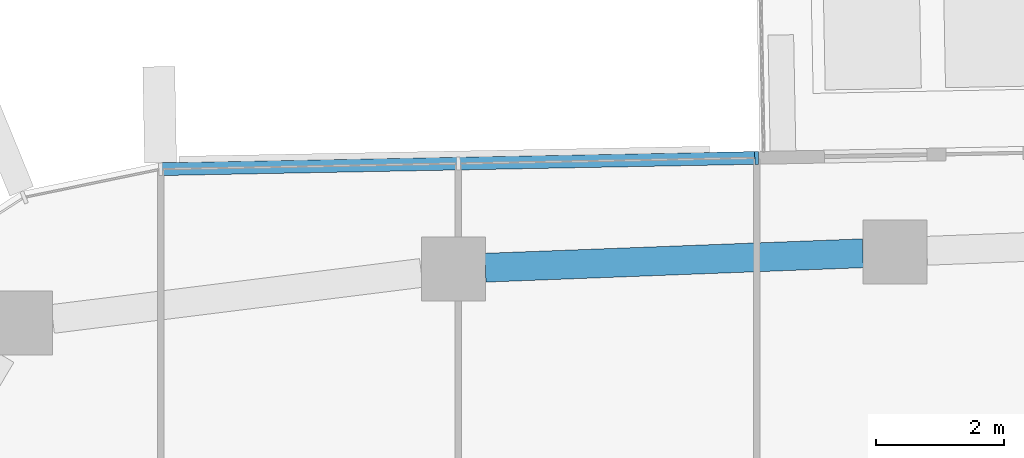
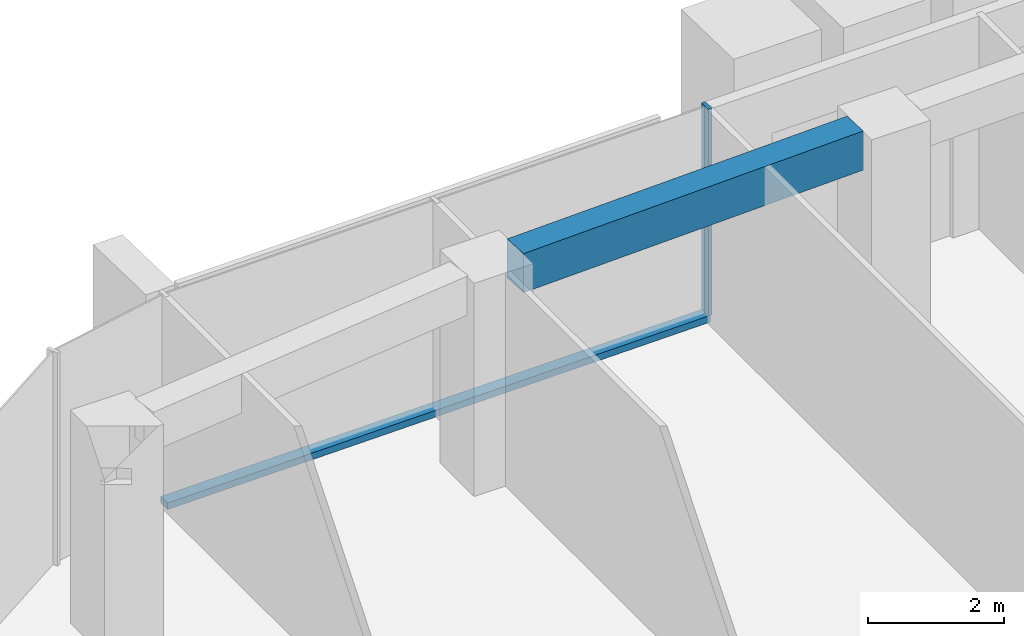
# One storey, part 7 of 24: 2 members, 1 beam, 1 element without a shape of its own.
"""IFC4 building model written with IfcOpenShell, lengths in metres."""

import ifcopenshell
import ifcopenshell.guid

model = None  # the IFC model being written
_history = None  # IfcOwnerHistory: only IFC2X3 demands one
_inside = {}  # id of a spatial element -> (the spatial element, [elements in it])
_under = {}  # id of a project, library or spatial element -> (it, [spatial elements below it])
_declared = {}  # id of a project -> (the project, [libraries it declares])
_typed = {}  # id of a type object -> (the type object, [elements of that type])
_made_of = {}  # id of a material, layer set ... -> (it, [elements and type objects made of it])


def new_model(schema):
    """Start an empty IFC model of exactly this schema.

    Asked for "IFC4X3", IfcOpenShell would pick the latest addendum, in which some entities
    have other attributes; the version numbers below select the first issue.
    IFC2X3 requires an IfcOwnerHistory on every rooted entity: one is made here for all.
    """
    global model, _history
    if schema == "IFC4X3":
        model = ifcopenshell.file(schema_version=(4, 3, 0, 0))
    else:
        model = ifcopenshell.file(schema=schema)
    _inside.clear()
    _under.clear()
    _declared.clear()
    _typed.clear()
    _made_of.clear()
    _history = None
    if model.schema == "IFC2X3":
        org = make("IfcOrganization", Name="unknown")
        user = make(
            "IfcPersonAndOrganization",
            ThePerson=make("IfcPerson", FamilyName="unknown"),
            TheOrganization=org,
        )
        app = make(
            "IfcApplication",
            ApplicationDeveloper=org,
            Version="unknown",
            ApplicationFullName="unknown",
            ApplicationIdentifier="unknown",
        )
        _history = make(
            "IfcOwnerHistory",
            OwningUser=user,
            OwningApplication=app,
            ChangeAction="ADDED",
            CreationDate=0,
        )
    return model


def make(cls, **values):
    """One entity of the class cls with the attributes given. An attribute that is None is left unset."""
    return model.create_entity(
        cls, **{name: value for name, value in values.items() if value is not None}
    )


def rooted(cls, **values):
    """An entity with a GlobalId (a new one), such as an element, a storey or a relation."""
    return make(cls, GlobalId=ifcopenshell.guid.new(), OwnerHistory=_history, **values)


def si_unit(unit_type, name, prefix=None):
    """IfcSIUnit, for example si_unit("LENGTHUNIT", "METRE", prefix="MILLI")."""
    return make("IfcSIUnit", UnitType=unit_type, Prefix=prefix, Name=name)


def assignment(units):
    """IfcUnitAssignment: the units of a project."""
    return None if units is None else make("IfcUnitAssignment", Units=units)


def point(xyz):
    """IfcCartesianPoint."""
    return None if xyz is None else make("IfcCartesianPoint", Coordinates=xyz)


def direction(xyz):
    """IfcDirection."""
    return None if xyz is None else make("IfcDirection", DirectionRatios=xyz)


def frame(location, z_axis=None, x_axis=None):
    """IfcAxis2Placement3D, a coordinate frame: its origin and axes. An axis left out is left unset."""
    return make(
        "IfcAxis2Placement3D",
        Location=point(location),
        Axis=direction(z_axis),
        RefDirection=direction(x_axis),
    )


def frame_2d(location, x_axis=None):
    """IfcAxis2Placement2D, a coordinate frame in the plane: its origin and x axis."""
    return make(
        "IfcAxis2Placement2D", Location=point(location), RefDirection=direction(x_axis)
    )


def origin():
    """The frame at (0, 0, 0) with its axes left unset."""
    return frame((0.0, 0.0, 0.0))


def origin_2d():
    """The frame at (0, 0) in the plane with its x axis left unset."""
    return frame_2d((0.0, 0.0))


def place(relative_to, where):
    """IfcLocalPlacement: puts the frame where relative to a parent placement (None: the world)."""
    return make(
        "IfcLocalPlacement", PlacementRelTo=relative_to, RelativePlacement=where
    )


def context(
    kind, dimensions, precision=None, world=None, true_north=None, identifier=None
):
    """IfcGeometricRepresentationContext, for example the 3D "Model" context."""
    return make(
        "IfcGeometricRepresentationContext",
        ContextIdentifier=identifier,
        ContextType=kind,
        CoordinateSpaceDimension=dimensions,
        Precision=precision,
        WorldCoordinateSystem=world,
        TrueNorth=true_north,
    )


def subcontext(parent, identifier, kind, view, scale=None):
    """IfcGeometricRepresentationSubContext, for example "Body" below "Model"."""
    return make(
        "IfcGeometricRepresentationSubContext",
        ContextIdentifier=identifier,
        ContextType=kind,
        ParentContext=parent,
        TargetScale=scale,
        TargetView=view,
    )


def project(units=None, contexts=None):
    """IfcProject with its units and contexts."""
    return rooted(
        "IfcProject",
        Name="project",
        RepresentationContexts=contexts,
        UnitsInContext=assignment(units),
    )


def spatial(cls, under=None, at=None, **own):
    """A site, building, storey or space (cls), placed at a placement, below another one or the project."""
    s = rooted(cls, ObjectPlacement=at, **own)
    if under is not None:
        _under.setdefault(under.id(), (under, []))[1].append(s)
    return s


def profile(cls, at=None, kind="AREA", **sizes):
    """A parametric profile (cls). Its sizes go by their IFC names, for example OverallWidth=200.0."""
    return make(cls, ProfileType=kind, Position=at, **sizes)


def rectangle(**sizes):
    """IfcRectangleProfileDef."""
    return profile("IfcRectangleProfileDef", **sizes)


def extrude(swept, where, along, depth):
    """IfcExtrudedAreaSolid: the profile swept, set in the frame where, extruded along a direction by depth."""
    return make(
        "IfcExtrudedAreaSolid",
        SweptArea=swept,
        Position=where,
        ExtrudedDirection=direction(along),
        Depth=depth,
    )


def shape(context_of_items, identifier, shape_type, items):
    """IfcShapeRepresentation: the items that make up one representation, for example the "Body"."""
    return make(
        "IfcShapeRepresentation",
        ContextOfItems=context_of_items,
        RepresentationIdentifier=identifier,
        RepresentationType=shape_type,
        Items=items,
    )


def material(Name=None, Category=None):
    """IfcMaterial."""
    return make("IfcMaterial", Name=Name, Category=Category)


def layer(
    of_material, thickness, ventilated=None, Name=None, Category=None, Priority=None
):
    """IfcMaterialLayer: one layer of a wall or slab, of a material (None: an air gap)."""
    return make(
        "IfcMaterialLayer",
        Material=of_material,
        LayerThickness=thickness,
        IsVentilated=ventilated,
        Name=Name,
        Category=Category,
        Priority=Priority,
    )


def layer_set(layers, Name=None):
    """IfcMaterialLayerSet."""
    return make("IfcMaterialLayerSet", MaterialLayers=layers, LayerSetName=Name)


def material_profile(
    of_material, cross_section, Name=None, Category=None, Priority=None
):
    """IfcMaterialProfile: a cross section and its material."""
    return make(
        "IfcMaterialProfile",
        Name=Name,
        Material=of_material,
        Profile=cross_section,
        Priority=Priority,
        Category=Category,
    )


def profile_set(profiles, Name=None, composite=None):
    """IfcMaterialProfileSet."""
    return make(
        "IfcMaterialProfileSet",
        Name=Name,
        MaterialProfiles=profiles,
        CompositeProfile=composite,
    )


def made_of(thing, what):
    """Note that an element or type object is made of a material, layer set ...; save() writes the relation."""
    if what is not None:
        _made_of.setdefault(what.id(), (what, []))[1].append(thing)
    return thing


def type_object(cls, material=None, **own):
    """A type object (cls), such as IfcWallType, which elements share."""
    return made_of(rooted(cls, **own), material)


def element(
    cls,
    number,
    at=None,
    inside=None,
    cuts=None,
    type_object=None,
    material=None,
    context=None,
    identifier="Body",
    shape_type=None,
    held_by="IfcProductDefinitionShape",
    body=None,
    shapes=None,
    **own,
):
    """One element of the class cls, such as IfcWall. Its Tag is "e" and its number.

    at: its placement. inside: the storey or other place that contains it. cuts: it is an
    opening in that element (IfcRelVoidsElement). A single representation is given by context,
    identifier, shape_type and body (its items); several are given by shapes. held_by: the class
    of the entity that holds the representations. save() writes the other relations.
    """
    e = rooted(cls, Tag="e%d" % number, ObjectPlacement=at, **own)
    if body is not None:
        shapes = [shape(context, identifier, shape_type, body)]
    if shapes is not None:
        e.Representation = make(held_by, Representations=shapes)
    if inside is not None:
        _inside.setdefault(inside.id(), (inside, []))[1].append(e)
    if cuts is not None:
        rooted(
            "IfcRelVoidsElement", RelatingBuildingElement=cuts, RelatedOpeningElement=e
        )
    if type_object is not None:
        _typed.setdefault(type_object.id(), (type_object, []))[1].append(e)
    return made_of(e, material)


def aggregate(whole, parts):
    """IfcRelAggregates: a whole, such as a stair, and the parts it consists of."""
    return rooted("IfcRelAggregates", RelatingObject=whole, RelatedObjects=parts)


def save(model, path):
    """Write the relations noted so far, then the file.

    IfcRelAggregates (storeys below a building ...), IfcRelContainedInSpatialStructure (elements
    in a storey), IfcRelDefinesByType, IfcRelAssociatesMaterial and IfcRelDeclares: one each for
    every whole, place, type object, material and project.
    """
    for whole, parts in _under.values():
        aggregate(whole, parts)
    for where, things in _inside.values():
        rooted(
            "IfcRelContainedInSpatialStructure",
            RelatedElements=things,
            RelatingStructure=where,
        )
    for kind, things in _typed.values():
        rooted("IfcRelDefinesByType", RelatedObjects=things, RelatingType=kind)
    for what, things in _made_of.values():
        rooted("IfcRelAssociatesMaterial", RelatedObjects=things, RelatingMaterial=what)
    for by, libraries in _declared.values():
        rooted("IfcRelDeclares", RelatingContext=by, RelatedDefinitions=libraries)
    model.write(path)


model = new_model("IFC4")

# Units and contexts
model_context = context("Model", 3, precision=1e-05, world=origin(), true_north=direction((0.0, 1.0)))
body_context = subcontext(model_context, "Body", "Model", "MODEL_VIEW")
ifc_project = project(units=[si_unit("LENGTHUNIT", "METRE"), si_unit("AREAUNIT", "SQUARE_METRE"), si_unit("VOLUMEUNIT", "CUBIC_METRE"), si_unit("PLANEANGLEUNIT", "RADIAN"), si_unit("MASSUNIT", "GRAM", prefix="KILO")], contexts=[model_context])

# Site, building, storey
site_placement = place(None, origin())
site = spatial("IfcSite", under=ifc_project, at=site_placement, CompositionType="ELEMENT")
building_placement = place(site_placement, origin())
building = spatial("IfcBuilding", under=site, at=building_placement, Name="Dongbaek Canopy Tower", CompositionType="ELEMENT")
storey_placement = place(building_placement, frame((0.0, 0.0, 302.60009765625)))
storey = spatial("IfcBuildingStorey", under=building, at=storey_placement, Name="L64", CompositionType="ELEMENT", Elevation=302.60009765625)

# Curtain wall, members
ifc_material_1 = material(Name="Aluminium 6063-T6 pale anodised", Category="aluminium")
ifc_layer = layer(ifc_material_1, 0.199951171875)
ifc_layer_set = layer_set([ifc_layer], Name="CW-1 unitised tower curtain wall")
curtain_wall_type = type_object("IfcCurtainWallType", Name="CW-1 unitised tower curtain wall", PredefinedType="NOTDEFINED", material=ifc_layer_set)
curtain_wall_placement = place(storey_placement, origin())
curtain_wall = element("IfcCurtainWall", 1, at=curtain_wall_placement, inside=storey, type_object=curtain_wall_type, Name="CW-1 curtain wall F1.1", PredefinedType="NOTDEFINED")
ifc_material_2 = material(Name="Aluminium 6063-T6 pale anodised", Category="aluminium")
ifc_material_profile_1 = material_profile(ifc_material_2, rectangle(XDim=0.199951171875, YDim=0.06005859375, at=origin_2d()), Name="CW-1 mullion 60 x 200")
ifc_profile_set_1 = profile_set([ifc_material_profile_1], Name="Aluminium 6063-T6 pale anodised")
member_type_1 = type_object("IfcMemberType", Name="CW-1 mullion 60 x 200", PredefinedType="MULLION", material=ifc_profile_set_1)
member_1_placement = place(storey_placement, frame((-3.574951171875, 28.896728515625, 0.119873046875), z_axis=(0.0, 0.0, 1.0), x_axis=(-0.018905076744, 0.999821283067, 0.0)))
member_1 = element("IfcMember", 2, at=member_1_placement, type_object=member_type_1, Name="CW-1 mullion F1.1.1", PredefinedType="MULLION", context=body_context, shape_type="SweptSolid", body=[
    extrude(rectangle(XDim=0.199951171875, YDim=0.06005859375, at=origin_2d()), origin(), (0.0, 0.0, 1.0), 3.699951171875),
])
ifc_material_3 = material(Name="Aluminium 6063-T6 pale anodised", Category="aluminium")
ifc_material_profile_2 = material_profile(ifc_material_3, rectangle(XDim=0.199951171875, YDim=0.1201171875, at=origin_2d()), Name="CW-1 transom 120 x 200")
ifc_profile_set_2 = profile_set([ifc_material_profile_2], Name="Aluminium 6063-T6 pale anodised")
member_type_2 = type_object("IfcMemberType", Name="CW-1 transom 120 x 200", PredefinedType="USERDEFINED", material=ifc_profile_set_2)
member_2_placement = place(storey_placement, frame((-3.574951171875, 28.896728515625, 0.059814453125), z_axis=(-0.999821440604, -0.018896743332, 0.0), x_axis=(0.018896743332, -0.999821440604, 0.0)))
member_2 = element("IfcMember", 3, at=member_2_placement, type_object=member_type_2, Name="CW-1 transom F1.1.1", ObjectType="TRANSOM", PredefinedType="USERDEFINED", context=body_context, shape_type="SweptSolid", body=[
    extrude(rectangle(XDim=0.199951171875, YDim=0.1201171875, at=origin_2d()), origin(), (0.0, 0.0, 1.0), 9.30224609375),
])
aggregate(curtain_wall, [member_1, member_2])

# Beam
ifc_material_4 = material(Name="Concrete C60", Category="concrete")
ifc_material_profile_3 = material_profile(ifc_material_4, rectangle(XDim=0.449951171875, YDim=0.699951171875, at=origin_2d()), Name="RC EDGE BEAM 450x700 C60")
ifc_profile_set_3 = profile_set([ifc_material_profile_3], Name="Concrete C60")
beam_type = type_object("IfcBeamType", Name="RC EDGE BEAM 450x700 C60", PredefinedType="BEAM", material=ifc_profile_set_3)
beam_placement = place(storey_placement, frame((-7.80908203125, 27.18310546875, 3.469970703125), z_axis=(0.999267644391, 0.038264538061, 0.0), x_axis=(-0.038264538061, 0.999267644391, 0.0)))
element("IfcBeam", 4, at=beam_placement, inside=storey, type_object=beam_type, Name="EDGEBEAM:L64:14", PredefinedType="BEAM", context=body_context, shape_type="SweptSolid", body=[
    extrude(rectangle(XDim=0.449951171875, YDim=0.699951171875, at=origin_2d()), origin(), (0.0, 0.0, 1.0), 5.8955078125),
])

save(model, "model.ifc")
